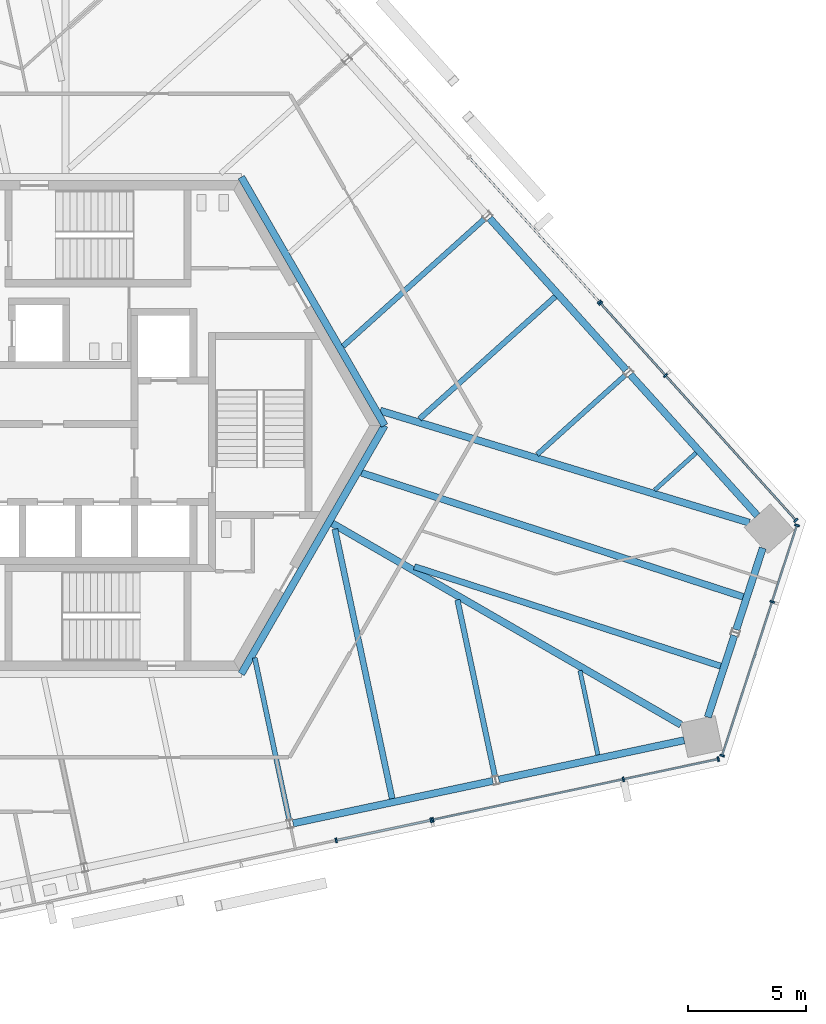
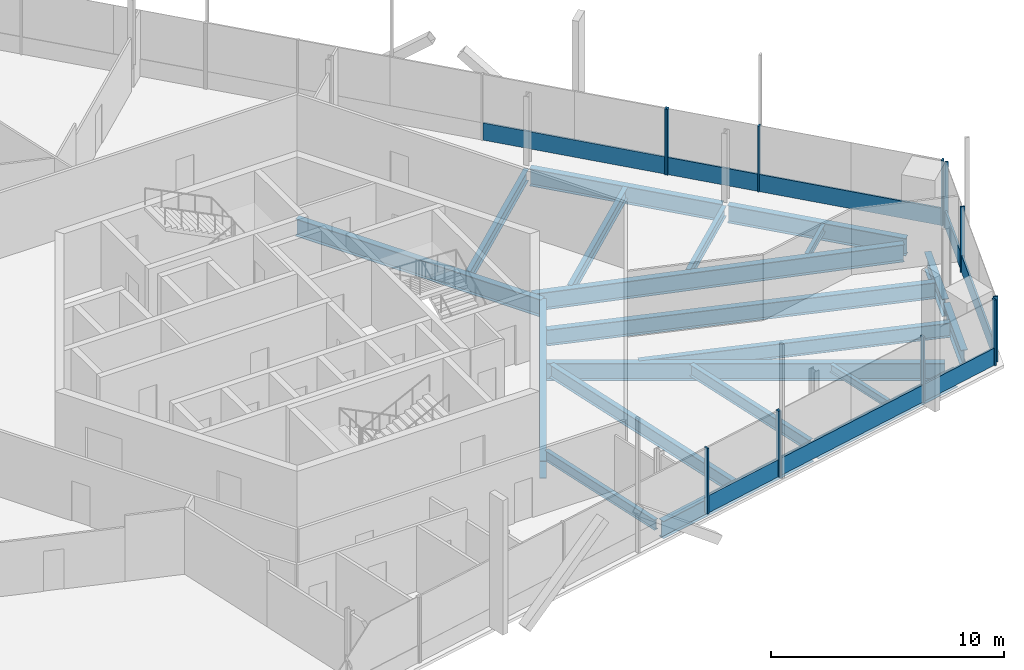
# One storey, part 6 of 17: 20 beams, 20 members, 5 elements without a shape of their own.
"""IFC4 building model written with IfcOpenShell, lengths in metres."""

from ifc_helpers import new_model, si_unit, direction, frame, origin, origin_2d, place, context, subcontext, project, spatial, rectangle, i_section, extrude, source, transform, mapped, material, material_profile, profile_set, type_object, element, aggregate, save


model = new_model("IFC4")

# Units and contexts
model_context = context("Model", 3, precision=1e-05, world=origin(), true_north=direction((0.0, 1.0)))
body_context = subcontext(model_context, "Body", "Model", "MODEL_VIEW")
ifc_project = project(units=[si_unit("LENGTHUNIT", "METRE"), si_unit("AREAUNIT", "SQUARE_METRE"), si_unit("VOLUMEUNIT", "CUBIC_METRE"), si_unit("PLANEANGLEUNIT", "RADIAN"), si_unit("MASSUNIT", "GRAM", prefix="KILO")], contexts=[model_context])

# Site, building, storey
site_placement = place(None, origin())
site = spatial("IfcSite", under=ifc_project, at=site_placement, CompositionType="ELEMENT")
building_placement = place(site_placement, origin())
building = spatial("IfcBuilding", under=site, at=building_placement, Name="Triune Harvest Tower", CompositionType="ELEMENT")
storey_placement = place(building_placement, frame((0.0, 0.0, 273.89990234375)))
storey = spatial("IfcBuildingStorey", under=building, at=storey_placement, Name="L72", CompositionType="ELEMENT", Elevation=273.89990234375)

# Beams
ifc_material_1 = material(Name="Steel ASTM A992 Gr 50", Category="steel")
ifc_material_profile_1 = material_profile(ifc_material_1, i_section(OverallWidth=0.3046875, OverallDepth=0.914306640625, WebThickness=0.0166015625, FlangeThickness=0.02587890625, at=origin_2d()), Name="W36x160")
ifc_profile_set_1 = profile_set([ifc_material_profile_1], Name="Steel ASTM A992 Gr 50")
beam_type_1 = type_object("IfcBeamType", Name="CG-1 Core ring girder W36x160", PredefinedType="BEAM", material=ifc_profile_set_1)
shared_shape_1 = source(origin(), body_context, "Body", "SweptSolid", [
    extrude(i_section(OverallWidth=0.3046875, OverallDepth=0.914306640625, WebThickness=0.0166015625, FlangeThickness=0.02587890625, at=origin_2d()), origin(), (0.0, 0.0, 1.0), 12.176025390625),
])
for number, where, z_axis, x_axis, name in (
    (1, (12.176025390625, 0.0, -0.6171875), (-0.5000099932, 0.866019634131, 0.0), (-0.866019634131, -0.5000099932, 0.0), "beam/L72/CG1"),
    (2, (6.087890625, -10.544677734375, -0.6171875), (0.5000099932, 0.866019634131, 0.0), (-0.866019634131, 0.5000099932, 0.0), "beam/L72/CG6"),
):
    element("IfcBeam", number, at=place(storey_placement, frame(where, z_axis=z_axis, x_axis=x_axis)), inside=storey, type_object=beam_type_1, Name=name, PredefinedType="BEAM", context=body_context, shape_type="MappedRepresentation", body=[
        mapped(shared_shape_1, transform((0.0, 0.0, 0.0), scale=1.0)),
    ])
ifc_material_2 = material(Name="Steel ASTM A992 Gr 50", Category="steel")
ifc_material_profile_2 = material_profile(ifc_material_2, i_section(OverallWidth=0.3046875, OverallDepth=0.914306640625, WebThickness=0.0166015625, FlangeThickness=0.02587890625, at=origin_2d()), Name="W36x160")
ifc_profile_set_2 = profile_set([ifc_material_profile_2], Name="Steel ASTM A992 Gr 50")
beam_type_2 = type_object("IfcBeamType", Name="SB-1 Spandrel beam W36x160", PredefinedType="SPANDREL", material=ifc_profile_set_2)
shared_shape_2 = source(origin(), body_context, "Body", "SweptSolid", [
    extrude(i_section(OverallWidth=0.3046875, OverallDepth=0.914306640625, WebThickness=0.0166015625, FlangeThickness=0.02587890625, at=origin_2d()), origin(), (0.0, 0.0, 1.0), 8.0498046875),
])
beam_1_placement = place(storey_placement, frame((27.991455078125, -3.82177734375, -0.6171875), z_axis=(-0.669137301084, 0.743138797465, 0.0), x_axis=(-0.743138797465, -0.669137301084, 0.0)))
element("IfcBeam", 3, at=beam_1_placement, inside=storey, type_object=beam_type_2, Name="beam/L72/SB1", PredefinedType="SPANDREL", context=body_context, shape_type="MappedRepresentation", body=[
    mapped(shared_shape_2, transform((0.0, 0.0, 0.0), scale=1.0)),
])
shared_shape_3 = source(origin(), body_context, "Body", "SweptSolid", [
    extrude(i_section(OverallWidth=0.3046875, OverallDepth=0.914306640625, WebThickness=0.0166015625, FlangeThickness=0.02587890625, at=origin_2d()), origin(), (0.0, 0.0, 1.0), 8.671630859375),
])
beam_2_placement = place(storey_placement, frame((22.433349609375, 2.350830078125, -0.6171875), z_axis=(-0.669114044563, 0.743159737452, 0.0), x_axis=(-0.743159737452, -0.669114044563, 0.0)))
element("IfcBeam", 4, at=beam_2_placement, inside=storey, type_object=beam_type_2, Name="beam/L72/SB2", PredefinedType="SPANDREL", context=body_context, shape_type="MappedRepresentation", body=[
    mapped(shared_shape_3, transform((0.0, 0.0, 0.0), scale=1.0)),
])
shared_shape_4 = source(origin(), body_context, "Body", "SweptSolid", [
    extrude(i_section(OverallWidth=0.3046875, OverallDepth=0.914306640625, WebThickness=0.0166015625, FlangeThickness=0.02587890625, at=origin_2d()), origin(), (0.0, 0.0, 1.0), 8.67138671875),
])
beam_3_placement = place(storey_placement, frame((8.28515625, -16.890869140625, -0.6171875), z_axis=(0.978145539793, 0.207921386546, 0.0), x_axis=(-0.207921386546, 0.978145539793, 0.0)))
element("IfcBeam", 5, at=beam_3_placement, inside=storey, type_object=beam_type_2, Name="beam/L72/SB18", PredefinedType="SPANDREL", context=body_context, shape_type="MappedRepresentation", body=[
    mapped(shared_shape_4, transform((0.0, 0.0, 0.0), scale=1.0)),
])
shared_shape_5 = source(origin(), body_context, "Body", "SweptSolid", [
    extrude(i_section(OverallWidth=0.3046875, OverallDepth=0.914306640625, WebThickness=0.0166015625, FlangeThickness=0.02587890625, at=origin_2d()), origin(), (0.0, 0.0, 1.0), 3.645751953125),
])
for number, where, z_axis, x_axis, name in (
    (6, (25.89306640625, -12.38134765625, -0.6171875), (0.309046702753, 0.951046862945, 0.0), (-0.951046862945, 0.309046702753, 0.0), "beam/L72/SB20"),
    (7, (27.09912109375, -8.670166015625, -0.6171875), (0.308986131058, 0.951066543841, 0.0), (-0.951066543841, 0.308986131058, 0.0), "beam/L72/SB21"),
):
    element("IfcBeam", number, at=place(storey_placement, frame(where, z_axis=z_axis, x_axis=x_axis)), inside=storey, type_object=beam_type_2, Name=name, PredefinedType="SPANDREL", context=body_context, shape_type="MappedRepresentation", body=[
        mapped(shared_shape_5, transform((0.0, 0.0, 0.0), scale=1.0)),
    ])
shared_shape_6 = source(origin(), body_context, "Body", "SweptSolid", [
    extrude(i_section(OverallWidth=0.3046875, OverallDepth=0.914306640625, WebThickness=0.0166015625, FlangeThickness=0.02587890625, at=origin_2d()), origin(), (0.0, 0.0, 1.0), 8.049560546875),
])
beam_4_placement = place(storey_placement, frame((17.01806640625, -15.034423828125, -0.6171875), z_axis=(0.978148597907, 0.207906999431, 0.0), x_axis=(-0.207906999431, 0.978148597907, 0.0)))
element("IfcBeam", 8, at=beam_4_placement, inside=storey, type_object=beam_type_2, Name="beam/L72/SB19", PredefinedType="SPANDREL", context=body_context, shape_type="MappedRepresentation", body=[
    mapped(shared_shape_6, transform((0.0, 0.0, 0.0), scale=1.0)),
])
ifc_material_3 = material(Name="Steel ASTM A992 Gr 50", Category="steel")
ifc_material_profile_3 = material_profile(ifc_material_3, i_section(OverallWidth=0.3046875, OverallDepth=0.914306640625, WebThickness=0.0166015625, FlangeThickness=0.02587890625, at=origin_2d()), Name="W36x160")
ifc_profile_set_3 = profile_set([ifc_material_profile_3], Name="Steel ASTM A992 Gr 50")
beam_type_3 = type_object("IfcBeamType", Name="HG-3 Hip girder W36x160", PredefinedType="BEAM", material=ifc_profile_set_3)
shared_shape_7 = source(origin(), body_context, "Body", "SweptSolid", [
    extrude(i_section(OverallWidth=0.3046875, OverallDepth=0.914306640625, WebThickness=0.0166015625, FlangeThickness=0.02587890625, at=origin_2d()), origin(), (0.0, 0.0, 1.0), 16.370361328125),
])
beam_5_placement = place(storey_placement, frame((27.65478515625, -4.124755859375, -0.6171875), z_axis=(-0.956924757428, 0.29033602708, 0.0), x_axis=(-0.29033602708, -0.956924757428, 0.0)))
element("IfcBeam", 9, at=beam_5_placement, inside=storey, type_object=beam_type_3, Name="beam/L72/HG1", PredefinedType="BEAM", context=body_context, shape_type="MappedRepresentation", body=[
    mapped(shared_shape_7, transform((0.0, 0.0, 0.0), scale=1.0)),
])
shared_shape_8 = source(origin(), body_context, "Body", "SweptSolid", [
    extrude(i_section(OverallWidth=0.3046875, OverallDepth=0.914306640625, WebThickness=0.0166015625, FlangeThickness=0.02587890625, at=origin_2d()), origin(), (0.0, 0.0, 1.0), 17.088623046875),
])
beam_6_placement = place(storey_placement, frame((24.75146484375, -12.700439453125, -0.6171875), z_axis=(-0.866020709961, 0.500008129852, 0.0), x_axis=(-0.500008129852, -0.866020709961, 0.0)))
element("IfcBeam", 10, at=beam_6_placement, inside=storey, type_object=beam_type_3, Name="beam/L72/HG8", PredefinedType="BEAM", context=body_context, shape_type="MappedRepresentation", body=[
    mapped(shared_shape_8, transform((0.0, 0.0, 0.0), scale=1.0)),
])
ifc_material_4 = material(Name="Steel ASTM A992 Gr 50", Category="steel")
ifc_material_profile_4 = material_profile(ifc_material_4, i_section(OverallWidth=0.180908203125, OverallDepth=0.41650390625, WebThickness=0.010986328125, FlangeThickness=0.01806640625, at=origin_2d()), Name="W16x57")
ifc_profile_set_4 = profile_set([ifc_material_profile_4], Name="Steel ASTM A992 Gr 50")
beam_type_4 = type_object("IfcBeamType", Name="JT-1 Floor joist W16x57", PredefinedType="JOIST", material=ifc_profile_set_4)
shared_shape_9 = source(origin(), body_context, "Body", "SweptSolid", [
    extrude(i_section(OverallWidth=0.180908203125, OverallDepth=0.41650390625, WebThickness=0.010986328125, FlangeThickness=0.01806640625, at=origin_2d()), origin(), (0.0, 0.0, 1.0), 2.364990234375),
])
beam_7_placement = place(storey_placement, frame((25.39306640625, -1.163818359375, -0.3681640625), z_axis=(-0.743196605909, -0.669073093888, 0.0), x_axis=(0.669073093888, -0.743196605909, 0.0)))
element("IfcBeam", 11, at=beam_7_placement, inside=storey, type_object=beam_type_4, Name="beam/L72/JT1", PredefinedType="JOIST", context=body_context, shape_type="MappedRepresentation", body=[
    mapped(shared_shape_9, transform((0.0, 0.0, 0.0), scale=1.0)),
])
ifc_material_5 = material(Name="Steel ASTM A992 Gr 50", Category="steel")
ifc_material_profile_5 = material_profile(ifc_material_5, i_section(OverallWidth=0.2099609375, OverallDepth=0.535888671875, WebThickness=0.010986328125, FlangeThickness=0.017333984375, at=origin_2d()), Name="W21x68")
ifc_profile_set_5 = profile_set([ifc_material_profile_5], Name="Steel ASTM A992 Gr 50")
beam_type_5 = type_object("IfcBeamType", Name="JT-2 Floor joist W21x68", PredefinedType="JOIST", material=ifc_profile_set_5)
shared_shape_10 = source(origin(), body_context, "Body", "SweptSolid", [
    extrude(i_section(OverallWidth=0.2099609375, OverallDepth=0.535888671875, WebThickness=0.010986328125, FlangeThickness=0.017333984375, at=origin_2d()), origin(), (0.0, 0.0, 1.0), 5.031982421875),
])
beam_8_placement = place(storey_placement, frame((22.38525390625, 2.135009765625, -0.427978515625), z_axis=(-0.743132491089, -0.669144304831, 0.0), x_axis=(0.669144304831, -0.743132491089, 0.0)))
element("IfcBeam", 12, at=beam_8_placement, inside=storey, type_object=beam_type_5, Name="beam/L72/JT2", PredefinedType="JOIST", context=body_context, shape_type="MappedRepresentation", body=[
    mapped(shared_shape_10, transform((0.0, 0.0, 0.0), scale=1.0)),
])
ifc_material_6 = material(Name="Steel ASTM A992 Gr 50", Category="steel")
ifc_material_profile_6 = material_profile(ifc_material_6, i_section(OverallWidth=0.22900390625, OverallDepth=0.612060546875, WebThickness=0.011962890625, FlangeThickness=0.01953125, at=origin_2d()), Name="W24x84")
ifc_profile_set_6 = profile_set([ifc_material_profile_6], Name="Steel ASTM A992 Gr 50")
beam_type_6 = type_object("IfcBeamType", Name="JT-3 Floor joist W24x84", PredefinedType="JOIST", material=ifc_profile_set_6)
shared_shape_11 = source(origin(), body_context, "Body", "SweptSolid", [
    extrude(i_section(OverallWidth=0.22900390625, OverallDepth=0.612060546875, WebThickness=0.011962890625, FlangeThickness=0.01953125, at=origin_2d()), origin(), (0.0, 0.0, 1.0), 7.755126953125),
])
beam_9_placement = place(storey_placement, frame((19.4189453125, 5.470947265625, -0.466064453125), z_axis=(-0.743143852868, -0.66913168655, 0.0), x_axis=(0.66913168655, -0.743143852868, 0.0)))
element("IfcBeam", 13, at=beam_9_placement, inside=storey, type_object=beam_type_6, Name="beam/L72/JT3", PredefinedType="JOIST", context=body_context, shape_type="MappedRepresentation", body=[
    mapped(shared_shape_11, transform((0.0, 0.0, 0.0), scale=1.0)),
])
shared_shape_12 = source(origin(), body_context, "Body", "SweptSolid", [
    extrude(i_section(OverallWidth=0.22900390625, OverallDepth=0.612060546875, WebThickness=0.011962890625, FlangeThickness=0.01953125, at=origin_2d()), origin(), (0.0, 0.0, 1.0), 8.076904296875),
])
beam_10_placement = place(storey_placement, frame((16.4111328125, 8.769775390625, -0.466064453125), z_axis=(-0.743136309392, -0.669140064308, 0.0), x_axis=(0.669140064308, -0.743136309392, 0.0)))
element("IfcBeam", 14, at=beam_10_placement, inside=storey, type_object=beam_type_6, Name="beam/L72/JT4", PredefinedType="JOIST", context=body_context, shape_type="MappedRepresentation", body=[
    mapped(shared_shape_12, transform((0.0, 0.0, 0.0), scale=1.0)),
])
shared_shape_13 = source(origin(), body_context, "Body", "SweptSolid", [
    extrude(i_section(OverallWidth=0.2099609375, OverallDepth=0.535888671875, WebThickness=0.010986328125, FlangeThickness=0.017333984375, at=origin_2d()), origin(), (0.0, 0.0, 1.0), 7.035400390625),
])
beam_11_placement = place(storey_placement, frame((8.122314453125, -16.7412109375, -0.427978515625), z_axis=(-0.207933876112, 0.978142884841, 0.0), x_axis=(-0.978142884841, -0.207933876112, 0.0)))
element("IfcBeam", 15, at=beam_11_placement, inside=storey, type_object=beam_type_5, Name="beam/L72/JT28", PredefinedType="JOIST", context=body_context, shape_type="MappedRepresentation", body=[
    mapped(shared_shape_13, transform((0.0, 0.0, 0.0), scale=1.0)),
])
ifc_material_7 = material(Name="Steel ASTM A992 Gr 50", Category="steel")
ifc_material_profile_7 = material_profile(ifc_material_7, i_section(OverallWidth=0.253662109375, OverallDepth=0.683349609375, WebThickness=0.012451171875, FlangeThickness=0.01904296875, at=origin_2d()), Name="W27x94")
ifc_profile_set_7 = profile_set([ifc_material_profile_7], Name="Steel ASTM A992 Gr 50")
beam_type_7 = type_object("IfcBeamType", Name="JT-4 Floor joist W27x94", PredefinedType="JOIST", material=ifc_profile_set_7)
shared_shape_14 = source(origin(), body_context, "Body", "SweptSolid", [
    extrude(i_section(OverallWidth=0.253662109375, OverallDepth=0.683349609375, WebThickness=0.012451171875, FlangeThickness=0.01904296875, at=origin_2d()), origin(), (0.0, 0.0, 1.0), 11.70068359375),
])
beam_12_placement = place(storey_placement, frame((12.494384765625, -15.84033203125, -0.50146484375), z_axis=(-0.207902925765, 0.978149463762, 0.0), x_axis=(-0.978149463762, -0.207902925765, 0.0)))
element("IfcBeam", 16, at=beam_12_placement, inside=storey, type_object=beam_type_7, Name="beam/L72/JT29", PredefinedType="JOIST", context=body_context, shape_type="MappedRepresentation", body=[
    mapped(shared_shape_14, transform((0.0, 0.0, 0.0), scale=1.0)),
])
shared_shape_15 = source(origin(), body_context, "Body", "SweptSolid", [
    extrude(i_section(OverallWidth=0.22900390625, OverallDepth=0.612060546875, WebThickness=0.011962890625, FlangeThickness=0.01953125, at=origin_2d()), origin(), (0.0, 0.0, 1.0), 7.6533203125),
])
beam_13_placement = place(storey_placement, frame((16.85498046875, -14.884765625, -0.466064453125), z_axis=(-0.207892711211, 0.978151634781, 0.0), x_axis=(-0.978151634781, -0.207892711211, 0.0)))
element("IfcBeam", 17, at=beam_13_placement, inside=storey, type_object=beam_type_6, Name="beam/L72/JT30", PredefinedType="JOIST", context=body_context, shape_type="MappedRepresentation", body=[
    mapped(shared_shape_15, transform((0.0, 0.0, 0.0), scale=1.0)),
])
shared_shape_16 = source(origin(), body_context, "Body", "SweptSolid", [
    extrude(i_section(OverallWidth=0.180908203125, OverallDepth=0.41650390625, WebThickness=0.010986328125, FlangeThickness=0.01806640625, at=origin_2d()), origin(), (0.0, 0.0, 1.0), 3.661865234375),
])
beam_14_placement = place(storey_placement, frame((21.227294921875, -13.98388671875, -0.3681640625), z_axis=(-0.20788506993, 0.9781532588, 0.0), x_axis=(-0.9781532588, -0.20788506993, 0.0)))
element("IfcBeam", 18, at=beam_14_placement, inside=storey, type_object=beam_type_4, Name="beam/L72/JT31", PredefinedType="JOIST", context=body_context, shape_type="MappedRepresentation", body=[
    mapped(shared_shape_16, transform((0.0, 0.0, 0.0), scale=1.0)),
])
ifc_material_8 = material(Name="Steel ASTM A992 Gr 50", Category="steel")
ifc_material_profile_8 = material_profile(ifc_material_8, i_section(OverallWidth=0.2666015625, OverallDepth=0.7568359375, WebThickness=0.013916015625, FlangeThickness=0.019287109375, at=origin_2d()), Name="W30x108")
ifc_profile_set_8 = profile_set([ifc_material_profile_8], Name="Steel ASTM A992 Gr 50")
beam_type_8 = type_object("IfcBeamType", Name="JT-5 Floor joist W30x108", PredefinedType="JOIST", material=ifc_profile_set_8)
shared_shape_17 = source(origin(), body_context, "Body", "SweptSolid", [
    extrude(i_section(OverallWidth=0.2666015625, OverallDepth=0.7568359375, WebThickness=0.013916015625, FlangeThickness=0.019287109375, at=origin_2d()), origin(), (0.0, 0.0, 1.0), 13.667724609375),
])
beam_15_placement = place(storey_placement, frame((26.4365234375, -10.216064453125, -0.538330078125), z_axis=(-0.951054938162, 0.309021851327, 0.0), x_axis=(-0.309021851327, -0.951054938162, 0.0)))
element("IfcBeam", 19, at=beam_15_placement, inside=storey, type_object=beam_type_8, Name="beam/L72/JT32", PredefinedType="JOIST", context=body_context, shape_type="MappedRepresentation", body=[
    mapped(shared_shape_17, transform((0.0, 0.0, 0.0), scale=1.0)),
])
ifc_material_9 = material(Name="Steel ASTM A992 Gr 50", Category="steel")
ifc_material_profile_9 = material_profile(ifc_material_9, i_section(OverallWidth=0.2919921875, OverallDepth=0.8408203125, WebThickness=0.0146484375, FlangeThickness=0.021728515625, at=origin_2d()), Name="W33x130")
ifc_profile_set_9 = profile_set([ifc_material_profile_9], Name="Steel ASTM A992 Gr 50")
beam_type_9 = type_object("IfcBeamType", Name="JT-6 Floor joist W33x130", PredefinedType="JOIST", material=ifc_profile_set_9)
shared_shape_18 = source(origin(), body_context, "Body", "SweptSolid", [
    extrude(i_section(OverallWidth=0.2919921875, OverallDepth=0.8408203125, WebThickness=0.0146484375, FlangeThickness=0.021728515625, at=origin_2d()), origin(), (0.0, 0.0, 1.0), 17.03466796875),
])
beam_16_placement = place(storey_placement, frame((27.392333984375, -7.27392578125, -0.580322265625), z_axis=(-0.951057974177, 0.30901250744, 0.0), x_axis=(-0.30901250744, -0.951057974177, 0.0)))
element("IfcBeam", 20, at=beam_16_placement, inside=storey, type_object=beam_type_9, Name="beam/L72/JT33", PredefinedType="JOIST", context=body_context, shape_type="MappedRepresentation", body=[
    mapped(shared_shape_18, transform((0.0, 0.0, 0.0), scale=1.0)),
])

# Curtain wall, members
ifc_material_10 = material(Name="Aluminium bronze anodised", Category="aluminium")
curtain_wall_type_1 = type_object("IfcCurtainWallType", Name="CW-1 Tower stick curtain wall", PredefinedType="NOTDEFINED", material=ifc_material_10)
curtain_wall_1_placement = place(storey_placement, origin())
curtain_wall_1 = element("IfcCurtainWall", 21, at=curtain_wall_1_placement, inside=storey, type_object=curtain_wall_type_1, Name="CW-1 B7-F1 L72 run 1")
ifc_material_11 = material(Name="Aluminium bronze anodised", Category="aluminium")
ifc_material_profile_10 = material_profile(ifc_material_11, rectangle(XDim=0.199951171875, YDim=0.074951171875, at=origin_2d()), Name="MU-1 mullion 75 x 200")
ifc_profile_set_10 = profile_set([ifc_material_profile_10], Name="Aluminium bronze anodised")
member_type_1 = type_object("IfcMemberType", Name="MU-1 mullion 75 x 200", PredefinedType="MULLION", material=ifc_profile_set_10)
shared_shape_19 = source(origin(), body_context, "Body", "SweptSolid", [
    extrude(rectangle(XDim=0.199951171875, YDim=0.074951171875, at=origin_2d()), origin(), (0.0, 0.0, 1.0), 3.440185546875),
])
member_1_placement = place(storey_placement, frame((29.634033203125, -4.023681640625, 0.0), z_axis=(0.0, 0.0, 1.0), x_axis=(-0.743144053222, -0.669131464034, 0.0)))
member_1 = element("IfcMember", 22, at=member_1_placement, type_object=member_type_1, Name="CW-1 mullion B7-F1 1.1", PredefinedType="MULLION", context=body_context, shape_type="MappedRepresentation", body=[
    mapped(shared_shape_19, transform((0.0, 0.0, 0.0), scale=1.0)),
])
member_2_placement = place(storey_placement, frame((24.09765625, 2.125, 0.0), z_axis=(0.0, 0.0, 1.0), x_axis=(-0.743144053222, -0.669131464034, 0.0)))
member_2 = element("IfcMember", 23, at=member_2_placement, type_object=member_type_1, Name="CW-1 mullion B7-F1 1.3", PredefinedType="MULLION", context=body_context, shape_type="MappedRepresentation", body=[
    mapped(shared_shape_19, transform((0.0, 0.0, 0.0), scale=1.0)),
])
member_3_placement = place(storey_placement, frame((21.342041015625, 5.185546875, 0.0), z_axis=(0.0, 0.0, 1.0), x_axis=(-0.743144053222, -0.669131464034, 0.0)))
member_3 = element("IfcMember", 24, at=member_3_placement, type_object=member_type_1, Name="CW-1 mullion B7-F1 1.4", PredefinedType="MULLION", context=body_context, shape_type="MappedRepresentation", body=[
    mapped(shared_shape_19, transform((0.0, 0.0, 0.0), scale=1.0)),
])

# Curtain wall, member
ifc_material_12 = material(Name="Aluminium bronze anodised", Category="aluminium")
curtain_wall_type_2 = type_object("IfcCurtainWallType", Name="CW-7 Tower stick curtain wall with insulated spandrel infill", PredefinedType="NOTDEFINED", material=ifc_material_12)
curtain_wall_2_placement = place(storey_placement, origin())
curtain_wall_2 = element("IfcCurtainWall", 25, at=curtain_wall_2_placement, inside=storey, type_object=curtain_wall_type_2, Name="CW-7 B7-F1 L72 run 1001")
member_4_placement = place(storey_placement, frame((21.291748046875, 5.2412109375, 0.0), z_axis=(0.0, 0.0, 1.0), x_axis=(-0.74314408674, -0.669131426809, 0.0)))
member_4 = element("IfcMember", 26, at=member_4_placement, type_object=member_type_1, Name="CW-7 mullion B7-F1 1001.1", PredefinedType="MULLION", context=body_context, shape_type="MappedRepresentation", body=[
    mapped(shared_shape_19, transform((0.0, 0.0, 0.0), scale=1.0)),
])

# Curtain wall, members
curtain_wall_3_placement = place(storey_placement, origin())
curtain_wall_3 = element("IfcCurtainWall", 27, at=curtain_wall_3_placement, inside=storey, type_object=curtain_wall_type_2, Name="CW-7 B7-F5 L72 run 1001")
member_5_placement = place(storey_placement, frame((10.116455078125, -17.611328125, 0.0), z_axis=(0.0, 0.0, 1.0), x_axis=(-0.207913090389, 0.978147303245, 0.0)))
member_5 = element("IfcMember", 28, at=member_5_placement, type_object=member_type_1, Name="CW-7 mullion B7-F5 1001.5", PredefinedType="MULLION", context=body_context, shape_type="MappedRepresentation", body=[
    mapped(shared_shape_19, transform((0.0, 0.0, 0.0), scale=1.0)),
])
member_6_placement = place(storey_placement, frame((14.14453125, -16.755126953125, 0.0), z_axis=(0.0, 0.0, 1.0), x_axis=(-0.207913090389, 0.978147303245, 0.0)))
member_6 = element("IfcMember", 29, at=member_6_placement, type_object=member_type_1, Name="CW-7 mullion B7-F5 1001.6", PredefinedType="MULLION", context=body_context, shape_type="MappedRepresentation", body=[
    mapped(shared_shape_19, transform((0.0, 0.0, 0.0), scale=1.0)),
])

curtain_wall_4_placement = place(storey_placement, origin())
curtain_wall_4 = element("IfcCurtainWall", 30, at=curtain_wall_4_placement, inside=storey, type_object=curtain_wall_type_1, Name="CW-1 B7-F5 L72 run 2001")
member_7_placement = place(storey_placement, frame((14.218017578125, -16.739501953125, 0.0), z_axis=(0.0, 0.0, 1.0), x_axis=(-0.207909221248, 0.978148125654, 0.0)))
member_7 = element("IfcMember", 31, at=member_7_placement, type_object=member_type_1, Name="CW-1 mullion B7-F5 2001.1", PredefinedType="MULLION", context=body_context, shape_type="MappedRepresentation", body=[
    mapped(shared_shape_19, transform((0.0, 0.0, 0.0), scale=1.0)),
])
member_8_placement = place(storey_placement, frame((22.311279296875, -15.019287109375, 0.0), z_axis=(0.0, 0.0, 1.0), x_axis=(-0.207909221248, 0.978148125654, 0.0)))
member_8 = element("IfcMember", 32, at=member_8_placement, type_object=member_type_1, Name="CW-1 mullion B7-F5 2001.3", PredefinedType="MULLION", context=body_context, shape_type="MappedRepresentation", body=[
    mapped(shared_shape_19, transform((0.0, 0.0, 0.0), scale=1.0)),
])
member_9_placement = place(storey_placement, frame((26.339599609375, -14.1630859375, 0.0), z_axis=(0.0, 0.0, 1.0), x_axis=(-0.207909221248, 0.978148125654, 0.0)))
member_9 = element("IfcMember", 33, at=member_9_placement, type_object=member_type_1, Name="CW-1 mullion B7-F5 2001.4", PredefinedType="MULLION", context=body_context, shape_type="MappedRepresentation", body=[
    mapped(shared_shape_19, transform((0.0, 0.0, 0.0), scale=1.0)),
])

curtain_wall_5_placement = place(storey_placement, origin())
curtain_wall_5 = element("IfcCurtainWall", 34, at=curtain_wall_5_placement, inside=storey, type_object=curtain_wall_type_1, Name="CW-1 B7-F6 L72 run 1")
member_10_placement = place(storey_placement, frame((26.503662109375, -14.015380859375, 0.0), z_axis=(0.0, 0.0, 1.0), x_axis=(-0.951055902733, 0.309018882717, 0.0)))
member_10 = element("IfcMember", 35, at=member_10_placement, type_object=member_type_1, Name="CW-1 mullion B7-F6 1.1", PredefinedType="MULLION", context=body_context, shape_type="MappedRepresentation", body=[
    mapped(shared_shape_19, transform((0.0, 0.0, 0.0), scale=1.0)),
])
member_11_placement = place(storey_placement, frame((28.625, -7.486328125, 0.0), z_axis=(0.0, 0.0, 1.0), x_axis=(-0.951055902733, 0.309018882717, 0.0)))
member_11 = element("IfcMember", 36, at=member_11_placement, type_object=member_type_1, Name="CW-1 mullion B7-F6 1.3", PredefinedType="MULLION", context=body_context, shape_type="MappedRepresentation", body=[
    mapped(shared_shape_19, transform((0.0, 0.0, 0.0), scale=1.0)),
])
member_12_placement = place(storey_placement, frame((29.679931640625, -4.23974609375, 0.0), z_axis=(0.0, 0.0, 1.0), x_axis=(-0.951055902733, 0.309018882717, 0.0)))
member_12 = element("IfcMember", 37, at=member_12_placement, type_object=member_type_1, Name="CW-1 mullion B7-F6 1.4", PredefinedType="MULLION", context=body_context, shape_type="MappedRepresentation", body=[
    mapped(shared_shape_19, transform((0.0, 0.0, 0.0), scale=1.0)),
])
ifc_material_13 = material(Name="Aluminium bronze anodised", Category="aluminium")
ifc_material_profile_11 = material_profile(ifc_material_13, rectangle(XDim=0.090087890625, YDim=0.89990234375, at=origin_2d()), Name="TR-1 transom 90 x 900")
ifc_profile_set_11 = profile_set([ifc_material_profile_11], Name="Aluminium bronze anodised")
member_type_2 = type_object("IfcMemberType", Name="TR-1 transom 90 x 900", PredefinedType="USERDEFINED", material=ifc_profile_set_11)
shared_shape_20 = source(origin(), body_context, "Body", "SweptSolid", [
    extrude(rectangle(XDim=0.090087890625, YDim=0.89990234375, at=origin_2d()), origin(), (0.0, 0.0, 1.0), 6.7900390625),
])
member_13_placement = place(storey_placement, frame((26.515380859375, -13.979736328125, 0.4501953125), z_axis=(0.309002330593, 0.951061280722, 0.0), x_axis=(-0.951061280722, 0.309002330593, 0.0)))
member_13 = element("IfcMember", 38, at=member_13_placement, type_object=member_type_2, Name="CW-1 transom B7-F6 1.1", ObjectType="TRANSOM", PredefinedType="USERDEFINED", context=body_context, shape_type="MappedRepresentation", body=[
    mapped(shared_shape_20, transform((0.0, 0.0, 0.0), scale=1.0)),
])
shared_shape_21 = source(origin(), body_context, "Body", "SweptSolid", [
    extrude(rectangle(XDim=0.090087890625, YDim=0.89990234375, at=origin_2d()), origin(), (0.0, 0.0, 1.0), 3.338623046875),
])
member_14_placement = place(storey_placement, frame((28.63671875, -7.45068359375, 0.4501953125), z_axis=(0.309023240166, 0.951054486892, 0.0), x_axis=(-0.951054486892, 0.309023240166, 0.0)))
member_14 = element("IfcMember", 39, at=member_14_placement, type_object=member_type_2, Name="CW-1 transom B7-F6 1.2", ObjectType="TRANSOM", PredefinedType="USERDEFINED", context=body_context, shape_type="MappedRepresentation", body=[
    mapped(shared_shape_21, transform((0.0, 0.0, 0.0), scale=1.0)),
])
aggregate(curtain_wall_5, [member_10, member_11, member_12, member_13, member_14])

# Member
shared_shape_22 = source(origin(), body_context, "Body", "SweptSolid", [
    extrude(rectangle(XDim=0.090087890625, YDim=0.89990234375, at=origin_2d()), origin(), (0.0, 0.0, 1.0), 8.198974609375),
])
member_15_placement = place(storey_placement, frame((29.60888671875, -3.995849609375, 0.4501953125), z_axis=(-0.669124295874, 0.743150507415, 0.0), x_axis=(-0.743150507415, -0.669124295874, 0.0)))
member_15 = element("IfcMember", 40, at=member_15_placement, type_object=member_type_2, Name="CW-1 transom B7-F1 1.1", ObjectType="TRANSOM", PredefinedType="USERDEFINED", context=body_context, shape_type="MappedRepresentation", body=[
    mapped(shared_shape_22, transform((0.0, 0.0, 0.0), scale=1.0)),
])

member_16_placement = place(storey_placement, frame((21.2666015625, 5.26904296875, 0.4501953125), z_axis=(-0.669109489038, 0.743163839055, 0.0), x_axis=(-0.743163839055, -0.669109489038, 0.0)))
member_16 = element("IfcMember", 41, at=member_16_placement, type_object=member_type_2, Name="CW-7 transom B7-F1 1001.1", ObjectType="TRANSOM", PredefinedType="USERDEFINED", context=body_context, shape_type="MappedRepresentation", body=[
    mapped(shared_shape_22, transform((0.0, 0.0, 0.0), scale=1.0)),
])

aggregate(curtain_wall_2, [member_4, member_16])

shared_shape_23 = source(origin(), body_context, "Body", "SweptSolid", [
    extrude(rectangle(XDim=0.090087890625, YDim=0.89990234375, at=origin_2d()), origin(), (0.0, 0.0, 1.0), 4.043212890625),
])
member_17_placement = place(storey_placement, frame((24.072509765625, 2.15283203125, 0.4501953125), z_axis=(-0.669091490458, 0.743180043729, 0.0), x_axis=(-0.743180043729, -0.669091490458, 0.0)))
member_17 = element("IfcMember", 42, at=member_17_placement, type_object=member_type_2, Name="CW-1 transom B7-F1 1.2", ObjectType="TRANSOM", PredefinedType="USERDEFINED", context=body_context, shape_type="MappedRepresentation", body=[
    mapped(shared_shape_23, transform((0.0, 0.0, 0.0), scale=1.0)),
])

aggregate(curtain_wall_1, [member_1, member_2, member_3, member_15, member_17])

member_18_placement = place(storey_placement, frame((10.153076171875, -17.603759765625, 0.4501953125), z_axis=(0.978137821682, 0.207957692319, 0.0), x_axis=(-0.207957692319, 0.978137821682, 0.0)))
member_18 = element("IfcMember", 43, at=member_18_placement, type_object=member_type_2, Name="CW-7 transom B7-F5 1001.3", ObjectType="TRANSOM", PredefinedType="USERDEFINED", context=body_context, shape_type="MappedRepresentation", body=[
    mapped(shared_shape_23, transform((0.0, 0.0, 0.0), scale=1.0)),
])

aggregate(curtain_wall_3, [member_5, member_6, member_18])

shared_shape_24 = source(origin(), body_context, "Body", "SweptSolid", [
    extrude(rectangle(XDim=0.090087890625, YDim=0.89990234375, at=origin_2d()), origin(), (0.0, 0.0, 1.0), 8.19921875),
])
member_19_placement = place(storey_placement, frame((14.254638671875, -16.731689453125, 0.4501953125), z_axis=(0.978150525776, 0.207897929101, 0.0), x_axis=(-0.207897929101, 0.978150525776, 0.0)))
member_19 = element("IfcMember", 44, at=member_19_placement, type_object=member_type_2, Name="CW-1 transom B7-F5 2001.1", ObjectType="TRANSOM", PredefinedType="USERDEFINED", context=body_context, shape_type="MappedRepresentation", body=[
    mapped(shared_shape_24, transform((0.0, 0.0, 0.0), scale=1.0)),
])

shared_shape_25 = source(origin(), body_context, "Body", "SweptSolid", [
    extrude(rectangle(XDim=0.090087890625, YDim=0.89990234375, at=origin_2d()), origin(), (0.0, 0.0, 1.0), 4.04345703125),
])
member_20_placement = place(storey_placement, frame((22.347900390625, -15.011474609375, 0.4501953125), z_axis=(0.978152712315, 0.207887641265, 0.0), x_axis=(-0.207887641265, 0.978152712315, 0.0)))
member_20 = element("IfcMember", 45, at=member_20_placement, type_object=member_type_2, Name="CW-1 transom B7-F5 2001.2", ObjectType="TRANSOM", PredefinedType="USERDEFINED", context=body_context, shape_type="MappedRepresentation", body=[
    mapped(shared_shape_25, transform((0.0, 0.0, 0.0), scale=1.0)),
])

aggregate(curtain_wall_4, [member_7, member_8, member_9, member_19, member_20])

save(model, "model.ifc")
